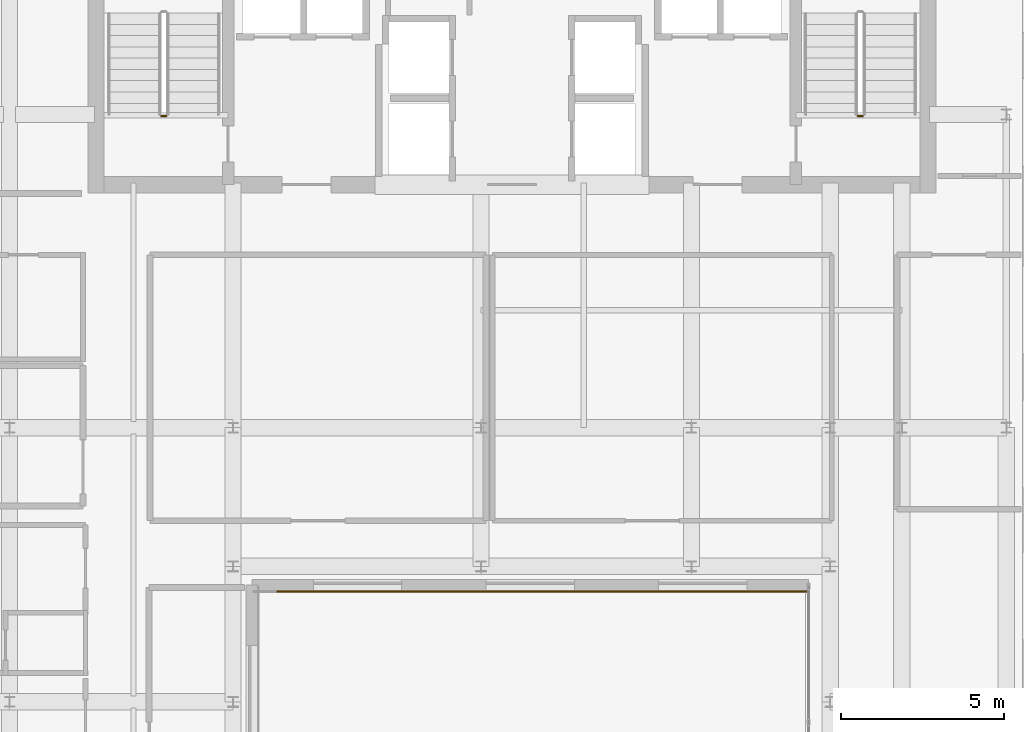
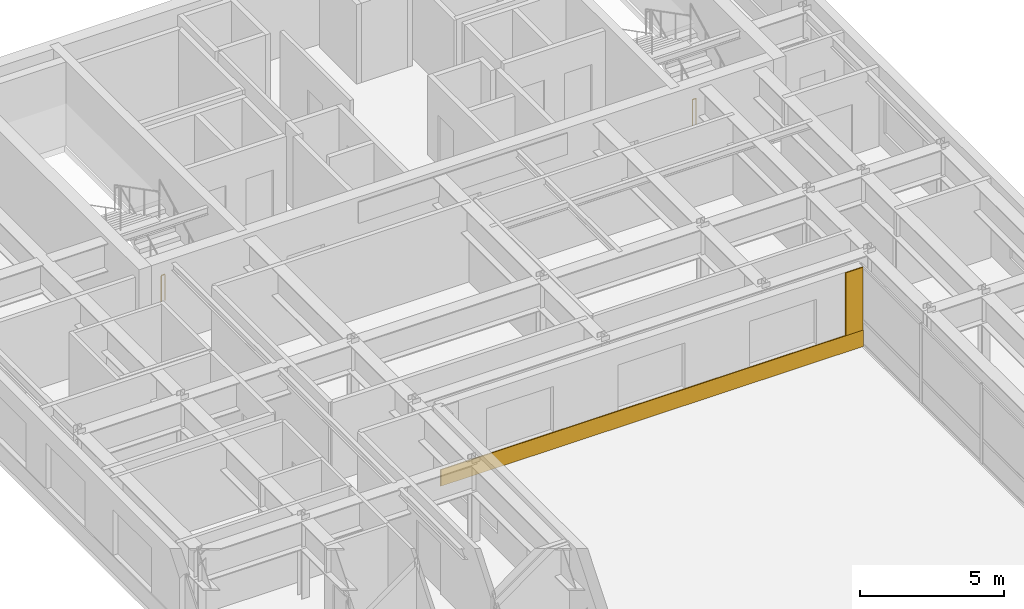
# One storey, part 13 of 16: 2 coverings, 2 railings.
"""IFC4 building model written with IfcOpenShell, lengths in metres."""

from ifc_helpers import new_model, si_unit, direction, frame, origin, origin_2d, place, context, subcontext, project, spatial, polyline, circle, outline, extrude, material, layer, layer_set, type_object, element, save


model = new_model("IFC4")

# Units and contexts
model_context = context("Model", 3, precision=1e-05, world=origin(), true_north=direction((0.0, 1.0)))
body_context = subcontext(model_context, "Body", "Model", "MODEL_VIEW")
ifc_project = project(units=[si_unit("LENGTHUNIT", "METRE"), si_unit("AREAUNIT", "SQUARE_METRE"), si_unit("VOLUMEUNIT", "CUBIC_METRE"), si_unit("PLANEANGLEUNIT", "RADIAN"), si_unit("MASSUNIT", "GRAM", prefix="KILO")], contexts=[model_context])

# Site, building, storey
site_placement = place(None, origin())
site = spatial("IfcSite", under=ifc_project, at=site_placement, CompositionType="ELEMENT")
building_placement = place(site_placement, origin())
building = spatial("IfcBuilding", under=site, at=building_placement, Name="Tolvann Quenvar Hotel", CompositionType="ELEMENT")
storey_placement = place(building_placement, frame((0.0, 0.0, 241.64990234375)))
storey = spatial("IfcBuildingStorey", under=building, at=storey_placement, Name="L64", CompositionType="ELEMENT", Elevation=241.64990234375)

# Coverings
ifc_material_1 = material(Name="Kiln-fired red architectural face brick cladding", Category="masonry")
ifc_layer_1 = layer(ifc_material_1, 0.0400390625)
ifc_layer_set_1 = layer_set([ifc_layer_1], Name="Kiln-fired red architectural face brick cladding")
covering_type_1 = type_object("IfcCoveringType", Name="COV_CLAD_BRICK_40", PredefinedType="CLADDING", material=ifc_layer_set_1)
covering_1_placement = place(storey_placement, frame((0.0, 0.0, 0.7001953125)))
element("IfcCovering", 1, at=covering_1_placement, inside=storey, type_object=covering_type_1, Name="Brick Pier Cladding (L64-E06-P2)", PredefinedType="CLADDING", context=body_context, shape_type="SweptSolid", body=[
    extrude(outline(polyline([(31.340087890625, 19.39990234375), (32.0400390625, 19.39990234375), (32.0400390625, 19.360107421875), (31.340087890625, 19.360107421875), (31.340087890625, 19.39990234375)])), origin(), (0.0, 0.0, 1.0), 2.669921875),
])
ifc_material_2 = material(Name="Moulded buff architectural terracotta spandrel cladding", Category="masonry")
ifc_layer_2 = layer(ifc_material_2, 0.0400390625)
ifc_layer_set_2 = layer_set([ifc_layer_2], Name="Moulded buff architectural terracotta spandrel cladding")
covering_type_2 = type_object("IfcCoveringType", Name="COV_CLAD_TERRA_40", PredefinedType="CLADDING", material=ifc_layer_set_2)
covering_2_placement = place(storey_placement, origin())
element("IfcCovering", 2, at=covering_2_placement, inside=storey, type_object=covering_type_2, Name="Terracotta Spandrel Cladding (L64-E06)", PredefinedType="CLADDING", context=body_context, shape_type="SweptSolid", body=[
    extrude(outline(polyline([(15.06494140625, 19.39990234375), (32.050048828125, 19.39990234375), (32.050048828125, 19.360107421875), (15.06494140625, 19.360107421875), (15.06494140625, 19.39990234375)])), origin(), (0.0, 0.0, 1.0), 0.7001953125),
])

# Railings
ifc_material_3 = material(Name="Brushed 316 stainless steel balustrade and handrail", Category="steel")
railing_type = type_object("IfcRailingType", Name="GUARDRAIL", PredefinedType="GUARDRAIL", material=ifc_material_3)
for number, where, name in (
    (3, (12.39990234375, 33.949951171875, 0.0), "L64 ST-C1 stair guard 4"),
    (4, (33.75, 33.949951171875, 0.0), "L64 ST-C2 stair guard 4"),
):
    element("IfcRailing", number, at=place(storey_placement, frame(where)), inside=storey, type_object=railing_type, Name=name, PredefinedType="GUARDRAIL", context=body_context, shape_type="SweptSolid", body=[
        extrude(circle(Radius=0.02392578125, at=origin_2d()), frame((0.0, 0.0, 1.09619140625), z_axis=(-1.0, 0.0, 0.0), x_axis=(0.0, -1.0, 0.0)), (0.0, 0.0, 1.0), 0.14990234375),
        extrude(circle(Radius=0.02099609375, at=origin_2d()), origin(), (0.0, 0.0, 1.0), 1.072021484375),
        extrude(circle(Radius=0.02099609375, at=origin_2d()), frame((-0.14990234375, 0.0, 0.0)), (0.0, 0.0, 1.0), 1.072021484375),
    ])

save(model, "model.ifc")
